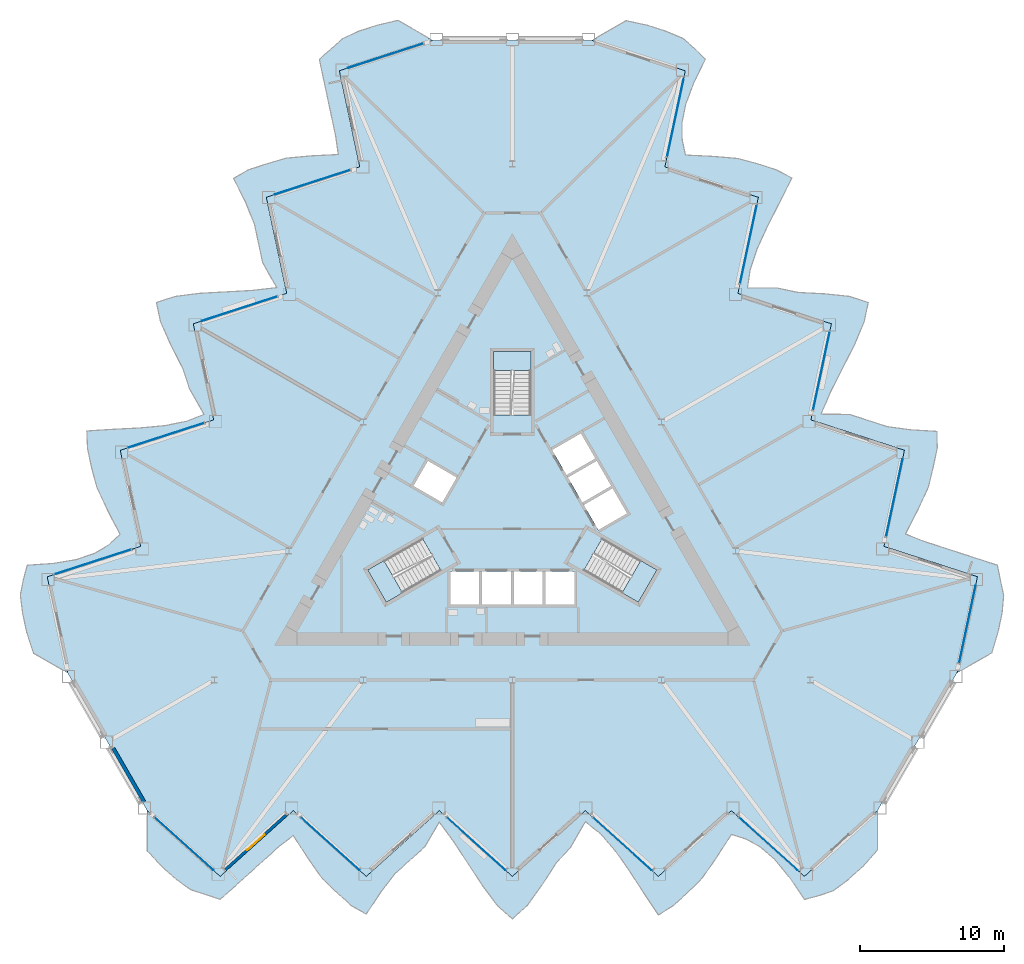
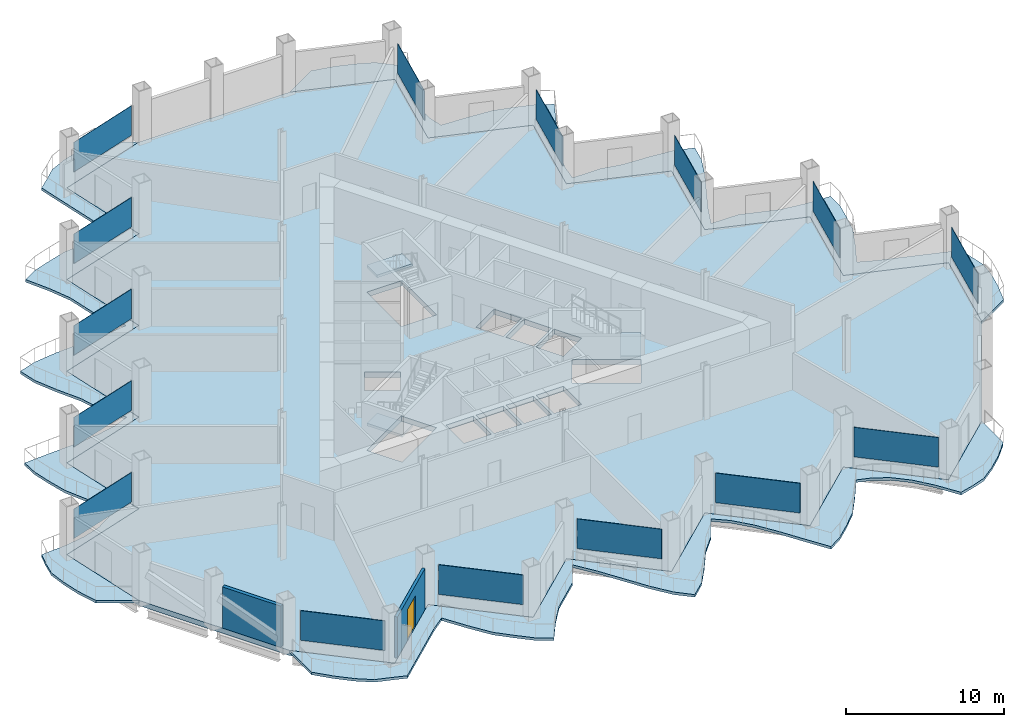
# One storey, part 9 of 21: 15 plates, 7 slabs, 2 walls, 1 door, 1 opening, 18 elements without a shape of their own.
"""IFC4 building model written with IfcOpenShell, lengths in metres."""

from ifc_helpers import new_model, si_unit, direction, frame, frame_2d, origin, origin_2d, place, context, subcontext, project, spatial, polyline, rectangle, outline, extrude, material, layer, layer_set, type_object, element, fill, aggregate, save


model = new_model("IFC4")

# Units and contexts
model_context = context("Model", 3, precision=1e-05, world=origin(), true_north=direction((0.0, 1.0)))
body_context = subcontext(model_context, "Body", "Model", "MODEL_VIEW")
ifc_project = project(units=[si_unit("LENGTHUNIT", "METRE"), si_unit("AREAUNIT", "SQUARE_METRE"), si_unit("VOLUMEUNIT", "CUBIC_METRE"), si_unit("PLANEANGLEUNIT", "RADIAN"), si_unit("MASSUNIT", "GRAM", prefix="KILO")], contexts=[model_context])

# Site, building, storey
site_placement = place(None, origin())
site = spatial("IfcSite", under=ifc_project, at=site_placement, CompositionType="ELEMENT")
building_placement = place(site_placement, origin())
building = spatial("IfcBuilding", under=site, at=building_placement, Name="Cormorant Prow Tower", CompositionType="ELEMENT")
storey_placement = place(building_placement, frame((0.0, 0.0, 141.60009765625)))
storey = spatial("IfcBuildingStorey", under=building, at=storey_placement, Name="L30", CompositionType="ELEMENT", Elevation=141.60009765625)

# Slabs
ifc_material_1 = material(Name="Concrete C40/50", Category="concrete")
ifc_layer_1 = layer(ifc_material_1, 0.199951171875)
ifc_layer_set_1 = layer_set([ifc_layer_1], Name="Concrete C40/50")
slab_type_1 = type_object("IfcSlabType", Name="Balcony slab 200", PredefinedType="FLOOR", material=ifc_layer_set_1)
slab_1_placement = place(storey_placement, frame((0.0, 0.0, -0.2001953125)))
element("IfcSlab", 1, at=slab_1_placement, inside=storey, type_object=slab_type_1, Name="Balcony slab S L30", PredefinedType="FLOOR", context=body_context, shape_type="SweptSolid", body=[
    extrude(outline(polyline([(-25.322509765625, -20.988037109375), (-25.322509765625, -23.77197265625), (-24.309814453125, -24.85009765625), (-23.296875, -25.761962890625), (-22.283935546875, -26.4765625), (-21.27099609375, -26.802978515625), (-20.258056640625, -27.148193359375), (-19.2451171875, -26.236083984375), (-18.232177734375, -25.323974609375), (-17.219482421875, -24.412109375), (-16.20654296875, -23.5), (-15.193603515625, -22.70703125), (-14.1806640625, -24.275146484375), (-13.167724609375, -25.71044921875), (-12.15478515625, -26.674072265625), (-11.141845703125, -27.586181640625), (-10.129150390625, -28.164794921875), (-9.1162109375, -26.63037109375), (-8.103271484375, -25.323974609375), (-7.09033203125, -24.412109375), (-6.077392578125, -23.5), (-5.064453125, -21.787841796875), (-4.051513671875, -23.156494140625), (-3.038818359375, -24.705078125), (-2.02587890625, -26.255615234375), (-1.012939453125, -27.586181640625), (0.0, -28.498046875), (1.012939453125, -27.586181640625), (2.02587890625, -26.191162109375), (3.038818359375, -24.631591796875), (4.051513671875, -23.5), (5.064453125, -21.7548828125), (6.077392578125, -22.55615234375), (7.09033203125, -23.705322265625), (8.103271484375, -25.13623046875), (9.1162109375, -26.703369140625), (10.129150390625, -28.223876953125), (11.141845703125, -27.586181640625), (12.15478515625, -26.674072265625), (13.167724609375, -25.66455078125), (14.1806640625, -24.206298828125), (15.193603515625, -22.634521484375), (16.20654296875, -22.957763671875), (17.219482421875, -23.5166015625), (18.232177734375, -24.40966796875), (19.2451171875, -25.642578125), (20.258056640625, -27.148193359375), (21.27099609375, -26.87451171875), (22.283935546875, -26.52880859375), (23.296875, -25.761962890625), (24.309814453125, -24.85009765625), (25.322509765625, -23.718505859375), (25.322509765625, -20.988037109375), (24.309814453125, -21.900146484375), (23.296875, -22.81201171875), (22.283935546875, -23.72412109375), (21.27099609375, -24.63623046875), (20.258056640625, -25.548095703125), (19.2451171875, -24.63623046875), (18.232177734375, -23.72412109375), (17.219482421875, -22.81201171875), (16.20654296875, -21.900146484375), (15.193603515625, -20.988037109375), (14.1806640625, -21.900146484375), (13.167724609375, -22.81201171875), (12.15478515625, -23.72412109375), (11.141845703125, -24.63623046875), (10.129150390625, -25.548095703125), (9.1162109375, -24.63623046875), (8.103271484375, -23.72412109375), (7.09033203125, -22.81201171875), (6.077392578125, -21.900146484375), (5.064453125, -20.988037109375), (4.051513671875, -21.900146484375), (3.038818359375, -22.81201171875), (2.02587890625, -23.72412109375), (1.012939453125, -24.63623046875), (0.0, -25.548095703125), (-1.012939453125, -24.63623046875), (-2.02587890625, -23.72412109375), (-3.038818359375, -22.81201171875), (-4.051513671875, -21.900146484375), (-5.064453125, -20.988037109375), (-6.077392578125, -21.900146484375), (-7.09033203125, -22.81201171875), (-8.103271484375, -23.72412109375), (-9.1162109375, -24.63623046875), (-10.129150390625, -25.548095703125), (-11.141845703125, -24.63623046875), (-12.15478515625, -23.72412109375), (-13.167724609375, -22.81201171875), (-14.1806640625, -21.900146484375), (-15.193603515625, -20.988037109375), (-16.20654296875, -21.900146484375), (-17.219482421875, -22.81201171875), (-18.232177734375, -23.72412109375), (-19.2451171875, -24.63623046875), (-20.258056640625, -25.548095703125), (-21.27099609375, -24.63623046875), (-22.283935546875, -23.72412109375), (-23.296875, -22.81201171875), (-24.309814453125, -21.900146484375), (-25.322509765625, -20.988037109375)])), origin(), (0.0, 0.0, 1.0), 0.2001953125),
])
slab_2_placement = place(storey_placement, frame((0.0, 0.0, -0.2001953125)))
element("IfcSlab", 2, at=slab_2_placement, inside=storey, type_object=slab_type_1, Name="Balcony slab ENE L30", PredefinedType="FLOOR", context=body_context, shape_type="SweptSolid", body=[
    extrude(outline(polyline([(30.83740234375, -11.43603515625), (33.248291015625, -10.0439453125), (33.675537109375, -8.627685546875), (33.958984375, -7.294677734375), (34.0712890625, -6.06005859375), (33.84765625, -5.019775390625), (33.64013671875, -3.969970703125), (32.34375, -3.548828125), (31.04736328125, -3.127685546875), (29.751220703125, -2.706298828125), (28.454833984375, -2.28515625), (27.26171875, -1.804443359375), (28.11328125, -0.143310546875), (28.849853515625, 1.45166015625), (29.177978515625, 2.810546875), (29.461181640625, 4.143798828125), (29.4560546875, 5.310546875), (27.62060546875, 5.42041015625), (25.98291015625, 5.64453125), (24.6865234375, 6.065673828125), (23.390380859375, 6.48681640625), (21.401123046875, 6.508056640625), (22.080078125, 8.069580078125), (22.91455078125, 9.720947265625), (23.7509765625, 11.37353515625), (24.396728515625, 12.915771484375), (24.68017578125, 14.2490234375), (23.3837890625, 14.670166015625), (21.66943359375, 14.85009765625), (19.812255859375, 14.947509765625), (18.325927734375, 15.2587890625), (16.30810546875, 15.263427734375), (16.49560546875, 16.541259765625), (16.984375, 17.9931640625), (17.717041015625, 19.585693359375), (18.56787109375, 21.24658203125), (19.378173828125, 22.884033203125), (18.3193359375, 23.4423828125), (17.02294921875, 23.863525390625), (15.642333984375, 24.23583984375), (13.873046875, 24.384033203125), (12.00537109375, 24.475341796875), (11.77880859375, 25.51416015625), (11.756103515625, 26.670654296875), (12.023193359375, 27.994384765625), (12.58447265625, 29.488037109375), (13.3818359375, 31.1181640625), (12.638427734375, 31.8583984375), (11.832763671875, 32.562744140625), (10.662109375, 33.056640625), (9.365966796875, 33.477783203125), (7.87939453125, 33.789306640625), (5.514892578125, 32.424072265625), (6.81103515625, 32.0029296875), (8.107421875, 31.58154296875), (9.40380859375, 31.160400390625), (10.699951171875, 30.7392578125), (11.996337890625, 30.318115234375), (11.712890625, 28.98486328125), (11.429443359375, 27.651611328125), (11.146240234375, 26.318359375), (10.86279296875, 24.9853515625), (10.579345703125, 23.652099609375), (11.875732421875, 23.230712890625), (13.171875, 22.8095703125), (14.46826171875, 22.388427734375), (15.7646484375, 21.96728515625), (17.060791015625, 21.546142578125), (16.77734375, 20.212890625), (16.494140625, 18.879638671875), (16.210693359375, 17.54638671875), (15.92724609375, 16.213134765625), (15.643798828125, 14.880126953125), (16.940185546875, 14.458740234375), (18.236572265625, 14.03759765625), (19.53271484375, 13.616455078125), (20.8291015625, 13.1953125), (22.125244140625, 12.774169921875), (21.842041015625, 11.44091796875), (21.55859375, 10.107666015625), (21.275146484375, 8.7744140625), (20.99169921875, 7.441162109375), (20.70849609375, 6.10791015625), (22.004638671875, 5.686767578125), (23.301025390625, 5.265625), (24.59716796875, 4.844482421875), (25.8935546875, 4.42333984375), (27.18994140625, 4.001953125), (26.906494140625, 2.6689453125), (26.623046875, 1.335693359375), (26.339599609375, 0.00244140625), (26.056396484375, -1.330810546875), (25.77294921875, -2.6640625), (27.0693359375, -3.085205078125), (28.365478515625, -3.50634765625), (29.661865234375, -3.927490234375), (30.9580078125, -4.348876953125), (32.25439453125, -4.77001953125), (31.970947265625, -6.103271484375), (31.6875, -7.436279296875), (31.404296875, -8.76953125), (31.120849609375, -10.102783203125), (30.83740234375, -11.43603515625)])), origin(), (0.0, 0.0, 1.0), 0.2001953125),
])
slab_3_placement = place(storey_placement, frame((0.0, 0.0, -0.2001953125)))
element("IfcSlab", 3, at=slab_3_placement, inside=storey, type_object=slab_type_1, Name="Balcony slab WNW L30", PredefinedType="FLOOR", context=body_context, shape_type="SweptSolid", body=[
    extrude(outline(polyline([(-5.514892578125, 32.424072265625), (-7.92578125, 33.81591796875), (-9.365966796875, 33.477783203125), (-10.662109375, 33.056640625), (-11.787353515625, 32.53662109375), (-12.57666015625, 31.82275390625), (-13.3818359375, 31.1181640625), (-13.0986328125, 29.784912109375), (-12.815185546875, 28.45166015625), (-12.53173828125, 27.118408203125), (-12.248291015625, 25.78515625), (-12.068115234375, 24.511474609375), (-13.9326171875, 24.41845703125), (-15.68212890625, 24.2587890625), (-17.02294921875, 23.863525390625), (-18.3193359375, 23.4423828125), (-19.326904296875, 22.8544921875), (-18.50439453125, 21.2099609375), (-17.879638671875, 19.6796875), (-17.59619140625, 18.346435546875), (-17.31298828125, 17.01318359375), (-16.336669921875, 15.280029296875), (-18.0283203125, 15.087158203125), (-19.8759765625, 14.984130859375), (-21.72509765625, 14.88232421875), (-23.3837890625, 14.670166015625), (-24.68017578125, 14.2490234375), (-24.396728515625, 12.915771484375), (-23.695068359375, 11.34130859375), (-22.85107421875, 9.684326171875), (-22.37744140625, 8.2412109375), (-21.37255859375, 6.491455078125), (-22.572998046875, 6.014892578125), (-24.07470703125, 5.71240234375), (-25.820068359375, 5.550537109375), (-27.683837890625, 5.45703125), (-29.507080078125, 5.33984375), (-29.461181640625, 4.143798828125), (-29.177978515625, 2.810546875), (-28.81005859375, 1.4287109375), (-28.0537109375, -0.177490234375), (-27.198974609375, -1.8408203125), (-27.985107421875, -2.556396484375), (-28.9755859375, -3.154052734375), (-30.255615234375, -3.584716796875), (-31.82958984375, -3.845458984375), (-33.64013671875, -3.969970703125), (-33.909423828125, -4.984130859375), (-34.11669921875, -6.033935546875), (-33.958984375, -7.294677734375), (-33.675537109375, -8.627685546875), (-33.2021484375, -10.07080078125), (-30.83740234375, -11.43603515625), (-31.120849609375, -10.102783203125), (-31.404296875, -8.76953125), (-31.6875, -7.436279296875), (-31.970947265625, -6.103271484375), (-32.25439453125, -4.77001953125), (-30.9580078125, -4.348876953125), (-29.661865234375, -3.927490234375), (-28.365478515625, -3.50634765625), (-27.0693359375, -3.085205078125), (-25.77294921875, -2.6640625), (-26.056396484375, -1.330810546875), (-26.339599609375, 0.00244140625), (-26.623046875, 1.335693359375), (-26.906494140625, 2.6689453125), (-27.18994140625, 4.001953125), (-25.8935546875, 4.42333984375), (-24.59716796875, 4.844482421875), (-23.301025390625, 5.265625), (-22.004638671875, 5.686767578125), (-20.70849609375, 6.10791015625), (-20.99169921875, 7.441162109375), (-21.275146484375, 8.7744140625), (-21.55859375, 10.107666015625), (-21.842041015625, 11.44091796875), (-22.125244140625, 12.774169921875), (-20.8291015625, 13.1953125), (-19.53271484375, 13.616455078125), (-18.236572265625, 14.03759765625), (-16.940185546875, 14.458740234375), (-15.643798828125, 14.880126953125), (-15.92724609375, 16.213134765625), (-16.210693359375, 17.54638671875), (-16.494140625, 18.879638671875), (-16.77734375, 20.212890625), (-17.060791015625, 21.546142578125), (-15.7646484375, 21.96728515625), (-14.46826171875, 22.388427734375), (-13.171875, 22.8095703125), (-11.875732421875, 23.230712890625), (-10.579345703125, 23.652099609375), (-10.86279296875, 24.9853515625), (-11.146240234375, 26.318359375), (-11.429443359375, 27.651611328125), (-11.712890625, 28.98486328125), (-11.996337890625, 30.318115234375), (-10.699951171875, 30.7392578125), (-9.40380859375, 31.160400390625), (-8.107421875, 31.58154296875), (-6.81103515625, 32.0029296875), (-5.514892578125, 32.424072265625)])), origin(), (0.0, 0.0, 1.0), 0.2001953125),
])

# Curtain wall, plate
ifc_material_2 = material(Name="Aluminium 6063-T6", Category="aluminium")
ifc_layer_2 = layer(ifc_material_2, 0.199951171875)
ifc_layer_set_2 = layer_set([ifc_layer_2], Name="Aluminium 6063-T6")
curtain_wall_type = type_object("IfcCurtainWallType", Name="Office unitised curtain wall 200", PredefinedType="NOTDEFINED", material=ifc_layer_set_2)
curtain_wall_1_placement = place(storey_placement, origin())
curtain_wall_1 = element("IfcCurtainWall", 4, at=curtain_wall_1_placement, inside=storey, type_object=curtain_wall_type, Name="Office curtain wall S00", PredefinedType="NOTDEFINED")
ifc_material_3 = material(Name="Clear glass", Category="glass")
ifc_layer_3 = layer(ifc_material_3, 0.031982421875)
ifc_layer_set_3 = layer_set([ifc_layer_3], Name="Clear glass")
plate_type = type_object("IfcPlateType", Name="Office glass panel 32", PredefinedType="CURTAIN_PANEL", material=ifc_layer_set_3)
plate_1_placement = place(storey_placement, frame((-22.76806640625, -23.2880859375, 0.89990234375), z_axis=(0.0, 0.0, 1.0), x_axis=(0.743144846674, -0.669130582818, 0.0)))
plate_1 = element("IfcPlate", 5, at=plate_1_placement, type_object=plate_type, Name="Office glass panel S00", PredefinedType="CURTAIN_PANEL", context=body_context, shape_type="SweptSolid", body=[
    extrude(rectangle(XDim=5.48291015625, YDim=0.031982421875, at=origin_2d()), origin(), (0.0, 0.0, 1.0), 2.288818359375),
])
aggregate(curtain_wall_1, [plate_1])

curtain_wall_2_placement = place(storey_placement, origin())
curtain_wall_2 = element("IfcCurtainWall", 6, at=curtain_wall_2_placement, inside=storey, type_object=curtain_wall_type, Name="Office curtain wall S02", PredefinedType="NOTDEFINED")
plate_2_placement = place(storey_placement, frame((-12.638916015625, -23.2880859375, 0.89990234375), z_axis=(0.0, 0.0, 1.0), x_axis=(0.743144912366, -0.66913050986, 0.0)))
plate_2 = element("IfcPlate", 7, at=plate_2_placement, type_object=plate_type, Name="Office glass panel S02", PredefinedType="CURTAIN_PANEL", context=body_context, shape_type="SweptSolid", body=[
    extrude(rectangle(XDim=5.48291015625, YDim=0.031982421875, at=origin_2d()), origin(), (0.0, 0.0, 1.0), 2.288818359375),
])
aggregate(curtain_wall_2, [plate_2])

curtain_wall_3_placement = place(storey_placement, origin())
curtain_wall_3 = element("IfcCurtainWall", 8, at=curtain_wall_3_placement, inside=storey, type_object=curtain_wall_type, Name="Office curtain wall S04", PredefinedType="NOTDEFINED")
plate_3_placement = place(storey_placement, frame((-2.510009765625, -23.2880859375, 0.89990234375), z_axis=(0.0, 0.0, 1.0), x_axis=(0.743144846674, -0.669130582818, 0.0)))
plate_3 = element("IfcPlate", 9, at=plate_3_placement, type_object=plate_type, Name="Office glass panel S04", PredefinedType="CURTAIN_PANEL", context=body_context, shape_type="SweptSolid", body=[
    extrude(rectangle(XDim=5.48291015625, YDim=0.031982421875, at=origin_2d()), origin(), (0.0, 0.0, 1.0), 2.288818359375),
])
aggregate(curtain_wall_3, [plate_3])

curtain_wall_4_placement = place(storey_placement, origin())
curtain_wall_4 = element("IfcCurtainWall", 10, at=curtain_wall_4_placement, inside=storey, type_object=curtain_wall_type, Name="Office curtain wall S06", PredefinedType="NOTDEFINED")
plate_4_placement = place(storey_placement, frame((7.619140625, -23.2880859375, 0.89990234375), z_axis=(0.0, 0.0, 1.0), x_axis=(0.743144846674, -0.669130582818, 0.0)))
plate_4 = element("IfcPlate", 11, at=plate_4_placement, type_object=plate_type, Name="Office glass panel S06", PredefinedType="CURTAIN_PANEL", context=body_context, shape_type="SweptSolid", body=[
    extrude(rectangle(XDim=5.48291015625, YDim=0.031982421875, at=origin_2d()), origin(), (0.0, 0.0, 1.0), 2.288818359375),
])
aggregate(curtain_wall_4, [plate_4])

curtain_wall_5_placement = place(storey_placement, origin())
curtain_wall_5 = element("IfcCurtainWall", 12, at=curtain_wall_5_placement, inside=storey, type_object=curtain_wall_type, Name="Office curtain wall S08", PredefinedType="NOTDEFINED")
plate_5_placement = place(storey_placement, frame((17.748046875, -23.2880859375, 0.89990234375), z_axis=(0.0, 0.0, 1.0), x_axis=(0.743144846674, -0.669130582818, 0.0)))
plate_5 = element("IfcPlate", 13, at=plate_5_placement, type_object=plate_type, Name="Office glass panel S08", PredefinedType="CURTAIN_PANEL", context=body_context, shape_type="SweptSolid", body=[
    extrude(rectangle(XDim=5.48291015625, YDim=0.031982421875, at=origin_2d()), origin(), (0.0, 0.0, 1.0), 2.288818359375),
])
aggregate(curtain_wall_5, [plate_5])

curtain_wall_6_placement = place(storey_placement, origin())
curtain_wall_6 = element("IfcCurtainWall", 14, at=curtain_wall_6_placement, inside=storey, type_object=curtain_wall_type, Name="Office curtain wall ENE00", PredefinedType="NOTDEFINED")
plate_6_placement = place(storey_placement, frame((31.55224609375, -8.07373046875, 0.89990234375), z_axis=(0.0, 0.0, 1.0), x_axis=(0.207911719806, 0.978147594572, 0.0)))
plate_6 = element("IfcPlate", 15, at=plate_6_placement, type_object=plate_type, Name="Office glass panel ENE00", PredefinedType="CURTAIN_PANEL", context=body_context, shape_type="SweptSolid", body=[
    extrude(rectangle(XDim=5.48291015625, YDim=0.031982421875, at=origin_2d()), origin(), (0.0, 0.0, 1.0), 2.288818359375),
])
aggregate(curtain_wall_6, [plate_6])

curtain_wall_7_placement = place(storey_placement, origin())
curtain_wall_7 = element("IfcCurtainWall", 16, at=curtain_wall_7_placement, inside=storey, type_object=curtain_wall_type, Name="Office curtain wall ENE02", PredefinedType="NOTDEFINED")
plate_7_placement = place(storey_placement, frame((26.487548828125, 0.698486328125, 0.89990234375), z_axis=(0.0, 0.0, 1.0), x_axis=(0.207911719806, 0.978147594572, 0.0)))
plate_7 = element("IfcPlate", 17, at=plate_7_placement, type_object=plate_type, Name="Office glass panel ENE02", PredefinedType="CURTAIN_PANEL", context=body_context, shape_type="SweptSolid", body=[
    extrude(rectangle(XDim=5.48291015625, YDim=0.031982421875, at=origin_2d()), origin(), (0.0, 0.0, 1.0), 2.288818359375),
])
aggregate(curtain_wall_7, [plate_7])

curtain_wall_8_placement = place(storey_placement, origin())
curtain_wall_8 = element("IfcCurtainWall", 18, at=curtain_wall_8_placement, inside=storey, type_object=curtain_wall_type, Name="Office curtain wall ENE04", PredefinedType="NOTDEFINED")
plate_8_placement = place(storey_placement, frame((21.423095703125, 9.470458984375, 0.89990234375), z_axis=(0.0, 0.0, 1.0), x_axis=(0.207911689964, 0.978147600915, 0.0)))
plate_8 = element("IfcPlate", 19, at=plate_8_placement, type_object=plate_type, Name="Office glass panel ENE04", PredefinedType="CURTAIN_PANEL", context=body_context, shape_type="SweptSolid", body=[
    extrude(rectangle(XDim=5.48291015625, YDim=0.031982421875, at=origin_2d()), origin(), (0.0, 0.0, 1.0), 2.288818359375),
])
aggregate(curtain_wall_8, [plate_8])

curtain_wall_9_placement = place(storey_placement, origin())
curtain_wall_9 = element("IfcCurtainWall", 20, at=curtain_wall_9_placement, inside=storey, type_object=curtain_wall_type, Name="Office curtain wall ENE06", PredefinedType="NOTDEFINED")
plate_9_placement = place(storey_placement, frame((16.358642578125, 18.242431640625, 0.89990234375), z_axis=(0.0, 0.0, 1.0), x_axis=(0.207911719806, 0.978147594572, 0.0)))
plate_9 = element("IfcPlate", 21, at=plate_9_placement, type_object=plate_type, Name="Office glass panel ENE06", PredefinedType="CURTAIN_PANEL", context=body_context, shape_type="SweptSolid", body=[
    extrude(rectangle(XDim=5.48291015625, YDim=0.031982421875, at=origin_2d()), origin(), (0.0, 0.0, 1.0), 2.288818359375),
])
aggregate(curtain_wall_9, [plate_9])

curtain_wall_10_placement = place(storey_placement, origin())
curtain_wall_10 = element("IfcCurtainWall", 22, at=curtain_wall_10_placement, inside=storey, type_object=curtain_wall_type, Name="Office curtain wall ENE08", PredefinedType="NOTDEFINED")
plate_10_placement = place(storey_placement, frame((11.294189453125, 27.014404296875, 0.89990234375), z_axis=(0.0, 0.0, 1.0), x_axis=(0.207911719806, 0.978147594572, 0.0)))
plate_10 = element("IfcPlate", 23, at=plate_10_placement, type_object=plate_type, Name="Office glass panel ENE08", PredefinedType="CURTAIN_PANEL", context=body_context, shape_type="SweptSolid", body=[
    extrude(rectangle(XDim=5.48291015625, YDim=0.031982421875, at=origin_2d()), origin(), (0.0, 0.0, 1.0), 2.288818359375),
])
aggregate(curtain_wall_10, [plate_10])

curtain_wall_11_placement = place(storey_placement, origin())
curtain_wall_11 = element("IfcCurtainWall", 24, at=curtain_wall_11_placement, inside=storey, type_object=curtain_wall_type, Name="Office curtain wall WNW00", PredefinedType="NOTDEFINED")
plate_11_placement = place(storey_placement, frame((-8.7841796875, 31.36181640625, 0.89990234375), z_axis=(0.0, 0.0, 1.0), x_axis=(-0.951056511608, -0.3090170088, 0.0)))
plate_11 = element("IfcPlate", 25, at=plate_11_placement, type_object=plate_type, Name="Office glass panel WNW00", PredefinedType="CURTAIN_PANEL", context=body_context, shape_type="SweptSolid", body=[
    extrude(rectangle(XDim=5.48291015625, YDim=0.031982421875, at=origin_2d()), origin(), (0.0, 0.0, 1.0), 2.288818359375),
])
aggregate(curtain_wall_11, [plate_11])

curtain_wall_12_placement = place(storey_placement, origin())
curtain_wall_12 = element("IfcCurtainWall", 26, at=curtain_wall_12_placement, inside=storey, type_object=curtain_wall_type, Name="Office curtain wall WNW02", PredefinedType="NOTDEFINED")
plate_12_placement = place(storey_placement, frame((-13.8486328125, 22.58984375, 0.89990234375), z_axis=(0.0, 0.0, 1.0), x_axis=(-0.951056511608, -0.3090170088, 0.0)))
plate_12 = element("IfcPlate", 27, at=plate_12_placement, type_object=plate_type, Name="Office glass panel WNW02", PredefinedType="CURTAIN_PANEL", context=body_context, shape_type="SweptSolid", body=[
    extrude(rectangle(XDim=5.48291015625, YDim=0.031982421875, at=origin_2d()), origin(), (0.0, 0.0, 1.0), 2.288818359375),
])
aggregate(curtain_wall_12, [plate_12])

curtain_wall_13_placement = place(storey_placement, origin())
curtain_wall_13 = element("IfcCurtainWall", 28, at=curtain_wall_13_placement, inside=storey, type_object=curtain_wall_type, Name="Office curtain wall WNW04", PredefinedType="NOTDEFINED")
plate_13_placement = place(storey_placement, frame((-18.9130859375, 13.81787109375, 0.89990234375), z_axis=(0.0, 0.0, 1.0), x_axis=(-0.951056511608, -0.3090170088, 0.0)))
plate_13 = element("IfcPlate", 29, at=plate_13_placement, type_object=plate_type, Name="Office glass panel WNW04", PredefinedType="CURTAIN_PANEL", context=body_context, shape_type="SweptSolid", body=[
    extrude(rectangle(XDim=5.48291015625, YDim=0.031982421875, at=origin_2d()), origin(), (0.0, 0.0, 1.0), 2.288818359375),
])
aggregate(curtain_wall_13, [plate_13])

curtain_wall_14_placement = place(storey_placement, origin())
curtain_wall_14 = element("IfcCurtainWall", 30, at=curtain_wall_14_placement, inside=storey, type_object=curtain_wall_type, Name="Office curtain wall WNW06", PredefinedType="NOTDEFINED")
plate_14_placement = place(storey_placement, frame((-23.977783203125, 5.045654296875, 0.89990234375), z_axis=(0.0, 0.0, 1.0), x_axis=(-0.951056511608, -0.3090170088, 0.0)))
plate_14 = element("IfcPlate", 31, at=plate_14_placement, type_object=plate_type, Name="Office glass panel WNW06", PredefinedType="CURTAIN_PANEL", context=body_context, shape_type="SweptSolid", body=[
    extrude(rectangle(XDim=5.48291015625, YDim=0.031982421875, at=origin_2d()), origin(), (0.0, 0.0, 1.0), 2.288818359375),
])
aggregate(curtain_wall_14, [plate_14])

curtain_wall_15_placement = place(storey_placement, origin())
curtain_wall_15 = element("IfcCurtainWall", 32, at=curtain_wall_15_placement, inside=storey, type_object=curtain_wall_type, Name="Office curtain wall WNW08", PredefinedType="NOTDEFINED")
plate_15_placement = place(storey_placement, frame((-29.042236328125, -3.726318359375, 0.89990234375), z_axis=(0.0, 0.0, 1.0), x_axis=(-0.951056511608, -0.3090170088, 0.0)))
plate_15 = element("IfcPlate", 33, at=plate_15_placement, type_object=plate_type, Name="Office glass panel WNW08", PredefinedType="CURTAIN_PANEL", context=body_context, shape_type="SweptSolid", body=[
    extrude(rectangle(XDim=5.48291015625, YDim=0.031982421875, at=origin_2d()), origin(), (0.0, 0.0, 1.0), 2.288818359375),
])
aggregate(curtain_wall_15, [plate_15])

# Slab
ifc_material_4 = material(Name="Concrete C40/50", Category="concrete")
ifc_layer_4 = layer(ifc_material_4, 0.39990234375)
ifc_layer_set_4 = layer_set([ifc_layer_4], Name="Concrete C40/50")
slab_type_2 = type_object("IfcSlabType", Name="Post-tensioned flat slab 400", PredefinedType="FLOOR", material=ifc_layer_set_4)
slab_4_placement = place(storey_placement, frame((0.0, 0.0, -0.400146484375)))
element("IfcSlab", 34, at=slab_4_placement, inside=storey, type_object=slab_type_2, Name="Floor slab L30", PredefinedType="FLOOR", context=body_context, shape_type="SweptSolid", body=[
    extrude(outline(polyline([(-11.996337890625, 30.318115234375), (-10.579345703125, 23.652099609375), (-17.060791015625, 21.546142578125), (-15.643798828125, 14.880126953125), (-22.125244140625, 12.774169921875), (-20.70849609375, 6.10791015625), (-27.18994140625, 4.001953125), (-25.77294921875, -2.6640625), (-32.25439453125, -4.77001953125), (-30.83740234375, -11.43603515625), (-28.080078125, -16.2119140625), (-25.322509765625, -20.988037109375), (-20.258056640625, -25.548095703125), (-15.193603515625, -20.988037109375), (-10.129150390625, -25.548095703125), (-5.064453125, -20.988037109375), (0.0, -25.548095703125), (5.064453125, -20.988037109375), (10.129150390625, -25.548095703125), (15.193603515625, -20.988037109375), (20.258056640625, -25.548095703125), (25.322509765625, -20.988037109375), (28.080078125, -16.2119140625), (30.83740234375, -11.43603515625), (32.25439453125, -4.77001953125), (25.77294921875, -2.6640625), (27.18994140625, 4.001953125), (20.70849609375, 6.10791015625), (22.125244140625, 12.774169921875), (15.643798828125, 14.880126953125), (17.060791015625, 21.546142578125), (10.579345703125, 23.652099609375), (11.996337890625, 30.318115234375), (5.514892578125, 32.424072265625), (0.0, 32.424072265625), (-5.514892578125, 32.424072265625), (-11.996337890625, 30.318115234375)]), holes=[polyline([(-4.300048828125, -6.699951171875), (-4.300048828125, -4.39990234375), (-2.300048828125, -4.39990234375), (-2.300048828125, -6.699951171875), (-4.300048828125, -6.699951171875)]), polyline([(-2.10009765625, -4.39990234375), (-0.10009765625, -4.39990234375), (-0.10009765625, -6.699951171875), (-2.10009765625, -6.699951171875), (-2.10009765625, -4.39990234375)]), polyline([(2.10009765625, -4.39990234375), (2.10009765625, -6.699951171875), (0.10009765625, -6.699951171875), (0.10009765625, -4.39990234375), (2.10009765625, -4.39990234375)]), polyline([(4.300048828125, -6.699951171875), (2.300048828125, -6.699951171875), (2.300048828125, -4.39990234375), (4.300048828125, -4.39990234375), (4.300048828125, -6.699951171875)]), polyline([(7.952392578125, -0.373779296875), (5.96044921875, -1.52392578125), (4.96044921875, 0.2080078125), (6.952392578125, 1.358154296875), (7.952392578125, -0.373779296875)]), polyline([(4.860595703125, 0.38134765625), (3.860595703125, 2.11328125), (5.852294921875, 3.263427734375), (6.852294921875, 1.53125), (4.860595703125, 0.38134765625)]), polyline([(2.760498046875, 4.018798828125), (4.75244140625, 5.168701171875), (5.75244140625, 3.4365234375), (3.760498046875, 2.28662109375), (2.760498046875, 4.018798828125)]), polyline([(-6.852294921875, 1.53125), (-5.852294921875, 3.263427734375), (-3.860595703125, 2.11328125), (-4.860595703125, 0.38134765625), (-6.852294921875, 1.53125)]), polyline([(-4.947509765625, -4.3505859375), (-8.738037109375, -6.5390625), (-10.031982421875, -4.2978515625), (-6.241455078125, -2.109375), (-4.947509765625, -4.3505859375)]), polyline([(10.031982421875, -4.2978515625), (8.738037109375, -6.5390625), (4.947509765625, -4.3505859375), (6.241455078125, -2.109375), (10.031982421875, -4.2978515625)]), polyline([(1.2939453125, 10.8369140625), (1.2939453125, 6.459716796875), (-1.2939453125, 6.459716796875), (-1.2939453125, 10.8369140625), (1.2939453125, 10.8369140625)])]), origin(), (0.0, 0.0, 1.0), 0.400146484375),
])

# Stair, slab
ifc_material_5 = material(Name="Exit stair 24 risers")
stair_type = type_object("IfcStairType", Name="Exit stair 24 risers", PredefinedType="HALF_TURN_STAIR", material=ifc_material_5)
stair_1_placement = place(storey_placement, origin())
stair_1 = element("IfcStair", 35, at=stair_1_placement, inside=storey, type_object=stair_type, Name="L30 Exit stair ST1", PredefinedType="HALF_TURN_STAIR")
ifc_material_6 = material(Name="Concrete 5000 psi", Category="concrete")
ifc_layer_5 = layer(ifc_material_6, 0.199951171875)
ifc_layer_set_5 = layer_set([ifc_layer_5], Name="Concrete 5000 psi")
slab_type_3 = type_object("IfcSlabType", Name="Stair landing 200", PredefinedType="LANDING", material=ifc_layer_set_5)
slab_5_placement = place(storey_placement, frame((0.0, 0.0, 1.89990234375)))
slab_5 = element("IfcSlab", 36, at=slab_5_placement, type_object=slab_type_3, Name="ST1 landing 1", PredefinedType="LANDING", context=body_context, shape_type="SweptSolid", body=[
    extrude(outline(polyline([(-8.90185546875, -3.645263671875), (-10.031982421875, -4.2978515625), (-8.738037109375, -6.5390625), (-7.60791015625, -5.886474609375), (-8.90185546875, -3.645263671875)])), origin(), (0.0, 0.0, 1.0), 0.199951171875),
])
aggregate(stair_1, [slab_5])

stair_2_placement = place(storey_placement, origin())
stair_2 = element("IfcStair", 37, at=stair_2_placement, inside=storey, type_object=stair_type, Name="L30 Exit stair ST2", PredefinedType="HALF_TURN_STAIR")
slab_6_placement = place(storey_placement, frame((0.0, 0.0, 1.89990234375)))
slab_6 = element("IfcSlab", 38, at=slab_6_placement, type_object=slab_type_3, Name="ST2 landing 1", PredefinedType="LANDING", context=body_context, shape_type="SweptSolid", body=[
    extrude(outline(polyline([(7.60791015625, -5.886474609375), (8.738037109375, -6.5390625), (10.031982421875, -4.2978515625), (8.90185546875, -3.645263671875), (7.60791015625, -5.886474609375)])), origin(), (0.0, 0.0, 1.0), 0.199951171875),
])
aggregate(stair_2, [slab_6])

stair_3_placement = place(storey_placement, origin())
stair_3 = element("IfcStair", 39, at=stair_3_placement, inside=storey, type_object=stair_type, Name="L30 Exit stair ST3", PredefinedType="HALF_TURN_STAIR")
slab_7_placement = place(storey_placement, frame((0.0, 0.0, 1.89990234375)))
slab_7 = element("IfcSlab", 40, at=slab_7_placement, type_object=slab_type_3, Name="ST3 landing 1", PredefinedType="LANDING", context=body_context, shape_type="SweptSolid", body=[
    extrude(outline(polyline([(1.2939453125, 9.53173828125), (1.2939453125, 10.8369140625), (-1.2939453125, 10.8369140625), (-1.2939453125, 9.53173828125), (1.2939453125, 9.53173828125)])), origin(), (0.0, 0.0, 1.0), 0.199951171875),
])
aggregate(stair_3, [slab_7])

# Wall
ifc_material_7 = material(Name="Terracotta", Category="masonry")
ifc_layer_6 = layer(ifc_material_7, 0.25)
ifc_layer_set_6 = layer_set([ifc_layer_6], Name="Terracotta")
wall_type_1 = type_object("IfcWallType", Name="Terracotta bay wall 250", PredefinedType="SOLIDWALL", material=ifc_layer_set_6)
wall_1_placement = place(storey_placement, frame((-27.672119140625, -16.66845703125, 0.0), z_axis=(0.0, 0.0, 1.0), x_axis=(0.500010506321, -0.866019337872, 0.0)))
element("IfcWall", 41, at=wall_1_placement, inside=storey, type_object=wall_type_1, Name="Terracotta bay wall WSW01", PredefinedType="SOLIDWALL", context=body_context, shape_type="SweptSolid", body=[
    extrude(rectangle(XDim=4.27978515625, YDim=0.25, at=frame_2d((2.139892578125, 0.0))), origin(), (0.0, 0.0, 1.0), 3.188720703125),
])

# Wall, opening, door
ifc_material_8 = material(Name="Terracotta", Category="masonry")
ifc_layer_7 = layer(ifc_material_8, 0.199951171875)
ifc_layer_set_7 = layer_set([ifc_layer_7], Name="Terracotta")
wall_type_2 = type_object("IfcWallType", Name="Terracotta jamb wall 200", PredefinedType="SOLIDWALL", material=ifc_layer_set_7)
wall_2_placement = place(storey_placement, frame((-19.896240234375, -25.087646484375, 0.0), z_axis=(0.0, 0.0, 1.0), x_axis=(0.743158804828, 0.669115080391, 0.0)))
wall_2 = element("IfcWall", 42, at=wall_2_placement, inside=storey, type_object=wall_type_2, Name="Terracotta jamb wall S01", PredefinedType="SOLIDWALL", context=body_context, shape_type="SweptSolid", body=[
    extrude(rectangle(XDim=5.6513671875, YDim=0.199951171875, at=frame_2d((2.82568359375, 0.0))), origin(), (0.0, 0.0, 1.0), 3.188720703125),
])
opening_placement = place(wall_2_placement, frame((2.030517578125, 0.0, 0.0)))
opening = element("IfcOpeningElement", 43, at=opening_placement, cuts=wall_2, Name="Opening ED30.01", PredefinedType="OPENING", context=body_context, shape_type="SweptSolid", body=[
    extrude(rectangle(XDim=1.60009765625, YDim=2.39990234375, at=frame_2d((0.800048828125, 1.199951171875))), frame((0.0, 0.10986328125, 0.0), z_axis=(0.0, -1.0, 0.0), x_axis=(1.0, 0.0, 0.0)), (0.0, 0.0, 1.0), 0.219970703125),
])
ifc_material_9 = material(Name="Aluminium 6063-T6", Category="aluminium")
door_type = type_object("IfcDoorType", Name="Balcony door 1600x2400", OperationType="DOUBLE_DOOR_SINGLE_SWING", PredefinedType="DOOR", material=ifc_material_9)
door_placement = place(opening_placement, origin())
door = element("IfcDoor", 44, at=door_placement, inside=storey, type_object=door_type, Name="Balcony door S01 ED30.01", OperationType="DOUBLE_DOOR_SINGLE_SWING", OverallHeight=2.39990234375, OverallWidth=1.60009765625, PredefinedType="DOOR", context=body_context, shape_type="SweptSolid", body=[
    extrude(rectangle(XDim=1.60009765625, YDim=2.39990234375, at=frame_2d((0.800048828125, 1.199951171875))), frame((0.0, 0.02490234375, 0.0), z_axis=(0.0, -1.0, 0.0), x_axis=(1.0, 0.0, 0.0)), (0.0, 0.0, 1.0), 0.050048828125),
])
fill(opening, door)

save(model, "model.ifc")
